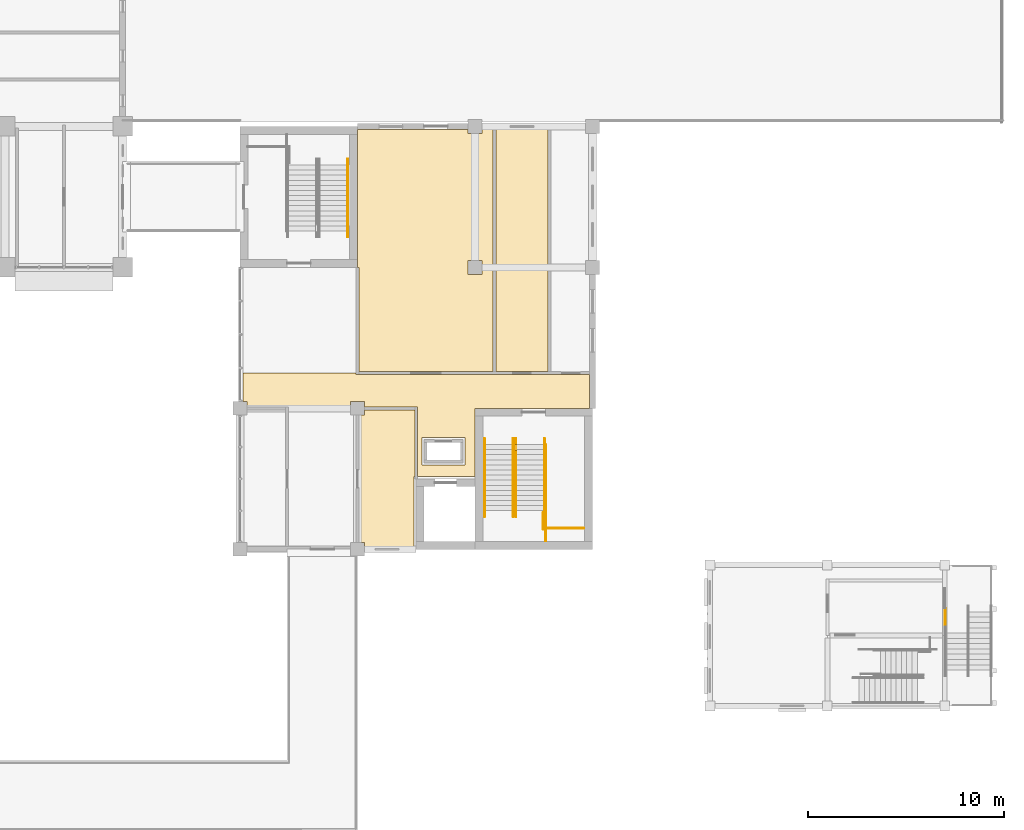
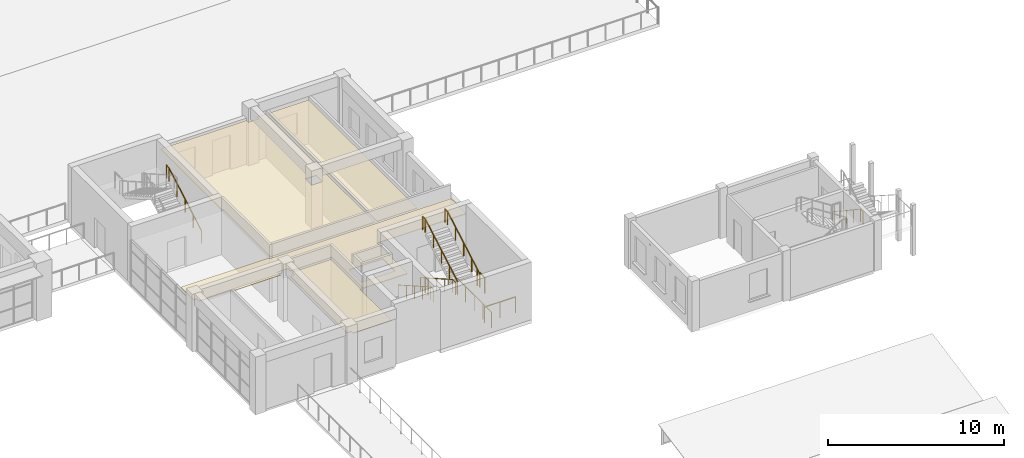
# One storey, part 98 of 101: 10 railings, 4 coverings.
"""IFC4 building model written with IfcOpenShell, lengths in metres."""

from ifc_helpers import new_model, si_unit, direction, frame, origin, origin_2d, place, context, subcontext, project, spatial, polyline, circle, outline, extrude, material, layer, layer_set, type_object, element, save


model = new_model("IFC4")

# Units and contexts
model_context = context("Model", 3, precision=1e-05, world=origin(), true_north=direction((0.0, 1.0)))
body_context = subcontext(model_context, "Body", "Model", "MODEL_VIEW")
ifc_project = project(units=[si_unit("LENGTHUNIT", "METRE"), si_unit("AREAUNIT", "SQUARE_METRE"), si_unit("VOLUMEUNIT", "CUBIC_METRE"), si_unit("PLANEANGLEUNIT", "RADIAN"), si_unit("MASSUNIT", "GRAM", prefix="KILO")], contexts=[model_context])

# Site, building, storey
site_placement = place(None, origin())
site = spatial("IfcSite", under=ifc_project, at=site_placement, CompositionType="ELEMENT")
building_placement = place(site_placement, origin())
building = spatial("IfcBuilding", under=site, at=building_placement, Name="Laocheng Heights Fire and Rescue Headquarters", CompositionType="ELEMENT")
storey_placement = place(building_placement, frame((0.0, 0.0, 8.39990234375)))
storey = spatial("IfcBuildingStorey", under=building, at=storey_placement, Name="L02", CompositionType="ELEMENT", Elevation=8.39990234375)

# Railings
ifc_material_1 = material(Name="Steel Q355B", Category="steel")
railing_type_1 = type_object("IfcRailingType", Name="STAIR GUARD 1100", PredefinedType="GUARDRAIL", material=ifc_material_1)
railing_1_placement = place(storey_placement, frame((104.094970703125, 41.0498046875, 0.0)))
element("IfcRailing", 1, at=railing_1_placement, inside=storey, type_object=railing_type_1, Name="Stair C1 guard L02 well edge", PredefinedType="GUARDRAIL", context=body_context, shape_type="SweptSolid", body=[
    extrude(circle(Radius=0.02392578125, at=origin_2d()), frame((0.0, 0.0, 1.076171875), z_axis=(0.0, 1.0, 0.0), x_axis=(-1.0, 0.0, 0.0)), (0.0, 0.0, 1.0), 0.30029296875),
    extrude(circle(Radius=0.02099609375, at=origin_2d()), origin(), (0.0, 0.0, 1.0), 1.052001953125),
    extrude(circle(Radius=0.02099609375, at=origin_2d()), frame((0.0, 0.30029296875, 0.0)), (0.0, 0.0, 1.0), 1.052001953125),
])
railing_2_placement = place(storey_placement, frame((105.52490234375, 37.080078125, 0.0)))
element("IfcRailing", 2, at=railing_2_placement, inside=storey, type_object=railing_type_1, Name="Stair C1 guard L02 tongue edge", PredefinedType="GUARDRAIL", context=body_context, shape_type="SweptSolid", body=[
    extrude(circle(Radius=0.02392578125, at=origin_2d()), frame((0.0, 0.0, 1.076171875), z_axis=(1.0, 0.0, 0.0), x_axis=(0.0, 1.0, 0.0)), (0.0, 0.0, 1.0), 2.025146484375),
    extrude(circle(Radius=0.02099609375, at=origin_2d()), origin(), (0.0, 0.0, 1.0), 1.052001953125),
    extrude(circle(Radius=0.02099609375, at=origin_2d()), frame((1.0126953125, 0.0, 0.0)), (0.0, 0.0, 1.0), 1.052001953125),
    extrude(circle(Radius=0.02099609375, at=origin_2d()), frame((2.025146484375, 0.0, 0.0)), (0.0, 0.0, 1.0), 1.052001953125),
])
railing_3_placement = place(storey_placement, frame((105.60498046875, 36.419921875, 0.0)))
element("IfcRailing", 3, at=railing_3_placement, inside=storey, type_object=railing_type_1, Name="Stair C1 guard L02 strip edge", PredefinedType="GUARDRAIL", context=body_context, shape_type="SweptSolid", body=[
    extrude(circle(Radius=0.02392578125, at=origin_2d()), frame((0.0, 0.0, 1.076171875), z_axis=(0.0, 1.0, 0.0), x_axis=(-1.0, 0.0, 0.0)), (0.0, 0.0, 1.0), 4.93017578125),
    extrude(circle(Radius=0.02099609375, at=origin_2d()), origin(), (0.0, 0.0, 1.0), 1.052001953125),
    extrude(circle(Radius=0.02099609375, at=origin_2d()), frame((0.0, 0.986083984375, 0.0)), (0.0, 0.0, 1.0), 1.052001953125),
    extrude(circle(Radius=0.02099609375, at=origin_2d()), frame((0.0, 1.97216796875, 0.0)), (0.0, 0.0, 1.0), 1.052001953125),
    extrude(circle(Radius=0.02099609375, at=origin_2d()), frame((0.0, 2.9580078125, 0.0)), (0.0, 0.0, 1.0), 1.052001953125),
    extrude(circle(Radius=0.02099609375, at=origin_2d()), frame((0.0, 3.944091796875, 0.0)), (0.0, 0.0, 1.0), 1.052001953125),
    extrude(circle(Radius=0.02099609375, at=origin_2d()), frame((0.0, 4.93017578125, 0.0)), (0.0, 0.0, 1.0), 1.052001953125),
])
railing_4_placement = place(storey_placement, frame((105.4951171875, 37.02001953125, 2.10009765625)))
element("IfcRailing", 4, at=railing_4_placement, inside=storey, type_object=railing_type_1, Name="Stair C1 guard L02 half landing", PredefinedType="GUARDRAIL", context=body_context, shape_type="SweptSolid", body=[
    extrude(circle(Radius=0.02392578125, at=origin_2d()), frame((0.0, 0.0, 1.076171875), z_axis=(0.0, 1.0, 0.0), x_axis=(-1.0, 0.0, 0.0)), (0.0, 0.0, 1.0), 0.85009765625),
    extrude(circle(Radius=0.02099609375, at=origin_2d()), origin(), (0.0, 0.0, 1.0), 1.052001953125),
    extrude(circle(Radius=0.02099609375, at=origin_2d()), frame((0.0, 0.85009765625, 0.0)), (0.0, 0.0, 1.0), 1.052001953125),
])
ifc_material_2 = material(Name="Steel Q355B", Category="steel")
railing_type_2 = type_object("IfcRailingType", Name="STAIR HANDRAIL 920", PredefinedType="HANDRAIL", material=ifc_material_2)
for number, where, name in (
    (5, (102.4951171875, 41.64990234375, 0.0), "Stair C1 handrail L02 1"),
    (6, (103.955078125, 41.64990234375, 0.0), "Stair C1 handrail L02 2"),
):
    element("IfcRailing", number, at=place(storey_placement, frame(where)), inside=storey, type_object=railing_type_2, Name=name, PredefinedType="HANDRAIL", context=body_context, shape_type="SweptSolid", body=[
        extrude(circle(Radius=0.02392578125, at=origin_2d()), frame((0.0, 0.0, 0.89599609375), z_axis=(0.0, -0.868519587458, 0.495654845838), x_axis=(1.0, 0.0, 0.0)), (0.0, 0.0, 1.0), 4.237060546875),
        extrude(circle(Radius=0.02392578125, at=origin_2d()), frame((0.0, -3.679931640625, 2.99609375), z_axis=(0.0, -1.0, 0.0), x_axis=(1.0, 0.0, 0.0)), (0.0, 0.0, 1.0), 0.300048828125),
        extrude(circle(Radius=0.02099609375, at=origin_2d()), origin(), (0.0, 0.0, 1.0), 0.871826171875),
        extrude(circle(Radius=0.02099609375, at=origin_2d()), frame((0.0, -0.919921875, 0.52490234375)), (0.0, 0.0, 1.0), 0.871826171875),
        extrude(circle(Radius=0.02099609375, at=origin_2d()), frame((0.0, -1.83984375, 1.050048828125)), (0.0, 0.0, 1.0), 0.871826171875),
        extrude(circle(Radius=0.02099609375, at=origin_2d()), frame((0.0, -2.760009765625, 1.5751953125)), (0.0, 0.0, 1.0), 0.871826171875),
        extrude(circle(Radius=0.02099609375, at=origin_2d()), frame((0.0, -3.679931640625, 2.10009765625)), (0.0, 0.0, 1.0), 0.871826171875),
        extrude(circle(Radius=0.02099609375, at=origin_2d()), frame((0.0, -3.97998046875, 2.10009765625)), (0.0, 0.0, 1.0), 0.871826171875),
    ])
for number, where, name in (
    (7, (104.094970703125, 37.669921875, 2.10009765625), "Stair C1 handrail L02 3"),
    (8, (105.554931640625, 37.669921875, 2.10009765625), "Stair C1 handrail L02 4"),
):
    element("IfcRailing", number, at=place(storey_placement, frame(where)), inside=storey, type_object=railing_type_2, Name=name, PredefinedType="HANDRAIL", context=body_context, shape_type="SweptSolid", body=[
        extrude(circle(Radius=0.02392578125, at=origin_2d()), frame((0.0, 0.0, 0.89599609375), z_axis=(0.0, 0.868533742332, 0.495630041896), x_axis=(-1.0, 0.0, 0.0)), (0.0, 0.0, 1.0), 4.2373046875),
        extrude(circle(Radius=0.02392578125, at=origin_2d()), frame((0.0, 3.68017578125, 2.99609375), z_axis=(0.0, 1.0, 0.0), x_axis=(-1.0, 0.0, 0.0)), (0.0, 0.0, 1.0), 0.2998046875),
        extrude(circle(Radius=0.02099609375, at=origin_2d()), origin(), (0.0, 0.0, 1.0), 0.871826171875),
        extrude(circle(Radius=0.02099609375, at=origin_2d()), frame((0.0, 0.919921875, 0.52490234375)), (0.0, 0.0, 1.0), 0.871826171875),
        extrude(circle(Radius=0.02099609375, at=origin_2d()), frame((0.0, 1.840087890625, 1.050048828125)), (0.0, 0.0, 1.0), 0.871826171875),
        extrude(circle(Radius=0.02099609375, at=origin_2d()), frame((0.0, 2.76025390625, 1.5751953125)), (0.0, 0.0, 1.0), 0.871826171875),
        extrude(circle(Radius=0.02099609375, at=origin_2d()), frame((0.0, 3.68017578125, 2.10009765625)), (0.0, 0.0, 1.0), 0.871826171875),
        extrude(circle(Radius=0.02099609375, at=origin_2d()), frame((0.0, 3.97998046875, 2.10009765625)), (0.0, 0.0, 1.0), 0.871826171875),
    ])
railing_5_placement = place(storey_placement, frame((95.5048828125, 51.949951171875, 0.0)))
element("IfcRailing", 9, at=railing_5_placement, inside=storey, type_object=railing_type_2, Name="Stair C2 handrail L02 1", PredefinedType="HANDRAIL", context=body_context, shape_type="SweptSolid", body=[
    extrude(circle(Radius=0.02392578125, at=origin_2d()), frame((0.0, 0.0, 0.89599609375), z_axis=(0.0, 0.868519587458, 0.495654845838), x_axis=(-1.0, 0.0, 0.0)), (0.0, 0.0, 1.0), 4.237060546875),
    extrude(circle(Radius=0.02392578125, at=origin_2d()), frame((0.0, 3.679931640625, 2.99609375), z_axis=(0.0, 1.0, 0.0), x_axis=(-1.0, 0.0, 0.0)), (0.0, 0.0, 1.0), 0.300048828125),
    extrude(circle(Radius=0.02099609375, at=origin_2d()), origin(), (0.0, 0.0, 1.0), 0.871826171875),
    extrude(circle(Radius=0.02099609375, at=origin_2d()), frame((0.0, 0.919921875, 0.52490234375)), (0.0, 0.0, 1.0), 0.871826171875),
    extrude(circle(Radius=0.02099609375, at=origin_2d()), frame((0.0, 1.83984375, 1.050048828125)), (0.0, 0.0, 1.0), 0.871826171875),
    extrude(circle(Radius=0.02099609375, at=origin_2d()), frame((0.0, 2.760009765625, 1.5751953125)), (0.0, 0.0, 1.0), 0.871826171875),
    extrude(circle(Radius=0.02099609375, at=origin_2d()), frame((0.0, 3.679931640625, 2.10009765625)), (0.0, 0.0, 1.0), 0.871826171875),
    extrude(circle(Radius=0.02099609375, at=origin_2d()), frame((0.0, 3.97998046875, 2.10009765625)), (0.0, 0.0, 1.0), 0.871826171875),
])
railing_6_placement = place(storey_placement, frame((126.030029296875, 32.97998046875, 2.10009765625)))
element("IfcRailing", 10, at=railing_6_placement, inside=storey, type_object=railing_type_2, Name="Stair T2 handrail F4 3", PredefinedType="HANDRAIL", context=body_context, shape_type="SweptSolid", body=[
    extrude(circle(Radius=0.02392578125, at=origin_2d()), frame((0.0, 0.0, 0.89599609375), z_axis=(0.0, -0.832030451194, 0.554729959787), x_axis=(1.0, 0.0, 0.0)), (0.0, 0.0, 1.0), 3.785888671875),
    extrude(circle(Radius=0.02392578125, at=origin_2d()), frame((0.0, -3.14990234375, 2.99609375), z_axis=(0.0, -1.0, 0.0), x_axis=(1.0, 0.0, 0.0)), (0.0, 0.0, 1.0), 0.300048828125),
    extrude(circle(Radius=0.02099609375, at=origin_2d()), origin(), (0.0, 0.0, 1.0), 0.871826171875),
    extrude(circle(Radius=0.02099609375, at=origin_2d()), frame((0.0, -0.78759765625, 0.52490234375)), (0.0, 0.0, 1.0), 0.871826171875),
    extrude(circle(Radius=0.02099609375, at=origin_2d()), frame((0.0, -1.574951171875, 1.050048828125)), (0.0, 0.0, 1.0), 0.871826171875),
    extrude(circle(Radius=0.02099609375, at=origin_2d()), frame((0.0, -2.3623046875, 1.5751953125)), (0.0, 0.0, 1.0), 0.871826171875),
    extrude(circle(Radius=0.02099609375, at=origin_2d()), frame((0.0, -3.14990234375, 2.10009765625)), (0.0, 0.0, 1.0), 0.871826171875),
    extrude(circle(Radius=0.02099609375, at=origin_2d()), frame((0.0, -3.449951171875, 2.10009765625)), (0.0, 0.0, 1.0), 0.871826171875),
])

# Coverings
ifc_material_3 = material(Name="Mineral fibre ceiling tile")
ifc_layer = layer(ifc_material_3, 0.0400390625)
ifc_layer_set = layer_set([ifc_layer], Name="Mineral fibre ceiling tile")
covering_type = type_object("IfcCoveringType", Name="SUSPENDED CEILING MINERAL FIBRE TILE CREW WING", PredefinedType="CEILING", material=ifc_layer_set)
covering_1_placement = place(storey_placement, frame((0.0, 0.0, 3.0)))
element("IfcCovering", 11, at=covering_1_placement, inside=storey, type_object=covering_type, Name="Circulation ceiling", PredefinedType="CEILING", context=body_context, shape_type="SweptSolid", body=[
    extrude(outline(polyline([(92.47509765625, 43.27490234375), (92.324951171875, 43.27490234375), (90.35009765625, 43.27490234375), (90.35009765625, 43.550048828125), (90.14990234375, 43.550048828125), (90.14990234375, 45.0), (95.925048828125, 45.0), (95.925048828125, 44.925048828125), (96.074951171875, 44.925048828125), (107.85009765625, 44.925048828125), (107.85009765625, 43.199951171875), (102.0, 43.199951171875), (102.0, 39.72509765625), (101.875, 39.72509765625), (99.125, 39.72509765625), (99.074951171875, 39.72509765625), (99.074951171875, 43.27490234375), (98.925048828125, 43.27490234375), (96.35009765625, 43.27490234375), (96.35009765625, 43.550048828125), (95.64990234375, 43.550048828125), (95.64990234375, 43.199951171875), (92.47509765625, 43.199951171875), (92.47509765625, 43.27490234375)]), holes=[polyline([(101.300048828125, 40.300048828125), (101.5, 40.300048828125), (101.5, 40.5), (101.5, 41.5), (101.5, 41.699951171875), (101.300048828125, 41.699951171875), (99.5, 41.699951171875), (99.300048828125, 41.699951171875), (99.300048828125, 41.5), (99.300048828125, 40.5), (99.300048828125, 40.300048828125), (99.5, 40.300048828125), (101.300048828125, 40.300048828125)])]), origin(), (0.0, 0.0, 1.0), 0.0400390625),
])
covering_2_placement = place(storey_placement, frame((0.0, 0.0, 3.0)))
element("IfcCovering", 12, at=covering_2_placement, inside=storey, type_object=covering_type, Name="Locker Room ceiling", PredefinedType="CEILING", context=body_context, shape_type="SweptSolid", body=[
    extrude(outline(polyline([(96.074951171875, 42.85009765625), (96.35009765625, 42.85009765625), (96.35009765625, 43.125), (98.925048828125, 43.125), (98.925048828125, 39.72509765625), (98.875, 39.72509765625), (98.875, 39.47509765625), (98.875, 36.14990234375), (96.35009765625, 36.14990234375), (96.35009765625, 36.35009765625), (96.074951171875, 36.35009765625), (96.074951171875, 42.85009765625)])), origin(), (0.0, 0.0, 1.0), 0.0400390625),
])
covering_3_placement = place(storey_placement, frame((0.0, 0.0, 3.0)))
element("IfcCovering", 13, at=covering_3_placement, inside=storey, type_object=covering_type, Name="Crew Gymnasium ceiling", PredefinedType="CEILING", context=body_context, shape_type="SweptSolid", body=[
    extrude(outline(polyline([(101.64990234375, 57.449951171875), (101.64990234375, 57.25), (102.35009765625, 57.25), (102.35009765625, 57.449951171875), (102.925048828125, 57.449951171875), (102.925048828125, 45.074951171875), (96.074951171875, 45.074951171875), (96.074951171875, 50.39990234375), (96.0, 50.39990234375), (96.0, 57.449951171875), (101.64990234375, 57.449951171875)]), holes=[polyline([(101.64990234375, 50.75), (101.64990234375, 50.050048828125), (102.35009765625, 50.050048828125), (102.35009765625, 50.75), (101.64990234375, 50.75)])]), origin(), (0.0, 0.0, 1.0), 0.0400390625),
])
covering_4_placement = place(storey_placement, frame((0.0, 0.0, 3.0)))
element("IfcCovering", 14, at=covering_4_placement, inside=storey, type_object=covering_type, Name="Shower Block ceiling", PredefinedType="CEILING", context=body_context, shape_type="SweptSolid", body=[
    extrude(outline(polyline([(105.72509765625, 45.074951171875), (103.074951171875, 45.074951171875), (103.074951171875, 57.449951171875), (105.72509765625, 57.449951171875), (105.72509765625, 45.074951171875)])), origin(), (0.0, 0.0, 1.0), 0.0400390625),
])

save(model, "model.ifc")
